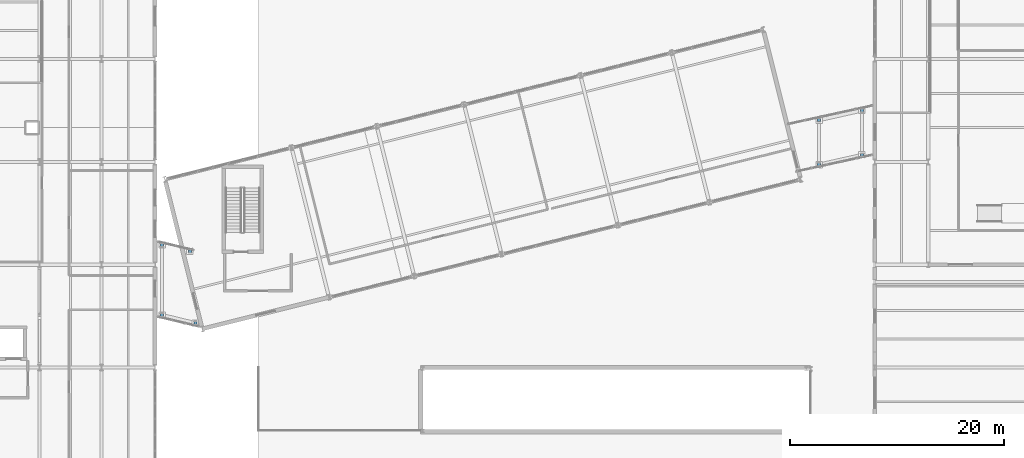
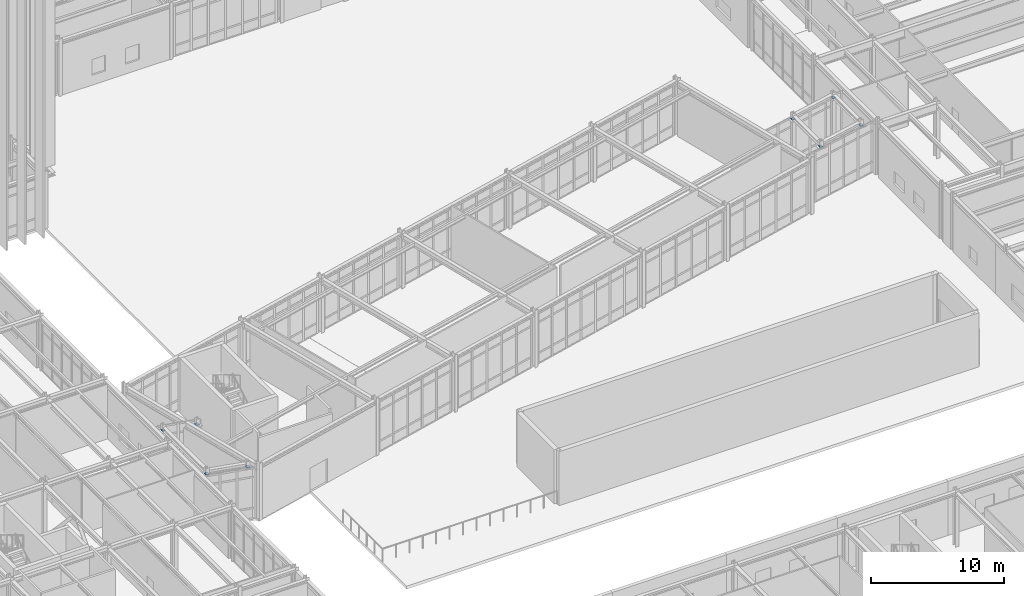
# One storey, part 99 of 109: 8 discrete accessories.
"""IFC4 building model written with IfcOpenShell, lengths in metres."""

from ifc_helpers import new_model, si_unit, direction, frame, origin, origin_2d, place, context, subcontext, project, spatial, rectangle, extrude, material, layer, layer_set, type_object, element, save


model = new_model("IFC4")

# Units and contexts
model_context = context("Model", 3, precision=1e-05, world=origin(), true_north=direction((0.0, 1.0)))
body_context = subcontext(model_context, "Body", "Model", "MODEL_VIEW")
ifc_project = project(units=[si_unit("LENGTHUNIT", "METRE"), si_unit("AREAUNIT", "SQUARE_METRE"), si_unit("VOLUMEUNIT", "CUBIC_METRE"), si_unit("PLANEANGLEUNIT", "RADIAN"), si_unit("MASSUNIT", "GRAM", prefix="KILO")], contexts=[model_context])

# Site, building, storey
site_placement = place(None, origin())
site = spatial("IfcSite", under=ifc_project, at=site_placement, CompositionType="ELEMENT")
building_placement = place(site_placement, origin())
building = spatial("IfcBuilding", under=site, at=building_placement, Name="Nordkorset Police Headquarters", CompositionType="ELEMENT")
storey_placement = place(building_placement, origin())
storey = spatial("IfcBuildingStorey", under=building, at=storey_placement, Name="L00", CompositionType="ELEMENT", Elevation=0.0)

# Discrete accessories
ifc_material = material(Name="Steel S355J2", Category="steel")
ifc_layer = layer(ifc_material, 0.0400390625, Name="Steel S355J2")
ifc_layer_set = layer_set([ifc_layer], Name="Steel S355J2")
discrete_accessory_type = type_object("IfcDiscreteAccessoryType", Name="PTFE_Sliding_Bearing", PredefinedType="USERDEFINED", material=ifc_layer_set)
for number, where, z_axis, x_axis, name in (
    (1, (19.85009765625, 43.300048828125, 4.660888671875), (0.0, 0.0, 1.0), (1.0, 0.0, 0.0), "Unguided PTFE Sliding Bridge Bearing BRG-W L00"),
    (2, (22.949951171875, 42.550048828125, 4.660888671875), (0.0, 0.0, 1.0), (1.0, 0.0, 0.0), "Unguided PTFE Sliding Bridge Bearing BRG-W L00"),
    (3, (19.85009765625, 49.85009765625, 4.660888671875), (0.0, 0.0, 1.0), (1.0, 0.0, 0.0), "Unguided PTFE Sliding Bridge Bearing BRG-W L00"),
    (4, (22.449951171875, 49.25, 4.660888671875), (0.0, 0.0, 1.0), (1.0, 0.0, 0.0), "Unguided PTFE Sliding Bridge Bearing BRG-W L00"),
    (5, (81.199951171875, 57.35009765625, 4.660888671875), (0.0, 0.0, 1.0), (1.0, 0.0, 0.0), "Unguided PTFE Sliding Bridge Bearing BRG-E L00"),
    (6, (85.199951171875, 58.25, 4.660888671875), (0.0, 0.0, 1.0), (1.0, 0.0, 0.0), "Unguided PTFE Sliding Bridge Bearing BRG-E L00"),
    (7, (81.199951171875, 61.5, 4.660888671875), (0.0, 0.0, 1.0), (1.0, 0.0, 0.0), "Unguided PTFE Sliding Bridge Bearing BRG-E L00"),
    (8, (85.199951171875, 62.39990234375, 4.660888671875), (0.0, 0.0, 1.0), (1.0, 0.0, 0.0), "Unguided PTFE Sliding Bridge Bearing BRG-E L00"),
):
    element("IfcDiscreteAccessory", number, at=place(storey_placement, frame(where, z_axis=z_axis, x_axis=x_axis)), inside=storey, type_object=discrete_accessory_type, Name=name, ObjectType="SLIDING BEARING", PredefinedType="USERDEFINED", context=body_context, shape_type="SweptSolid", body=[
        extrude(rectangle(XDim=0.280029296875, YDim=0.280029296875, at=origin_2d()), origin(), (0.0, 0.0, 1.0), 0.0400390625),
    ])

save(model, "model.ifc")
